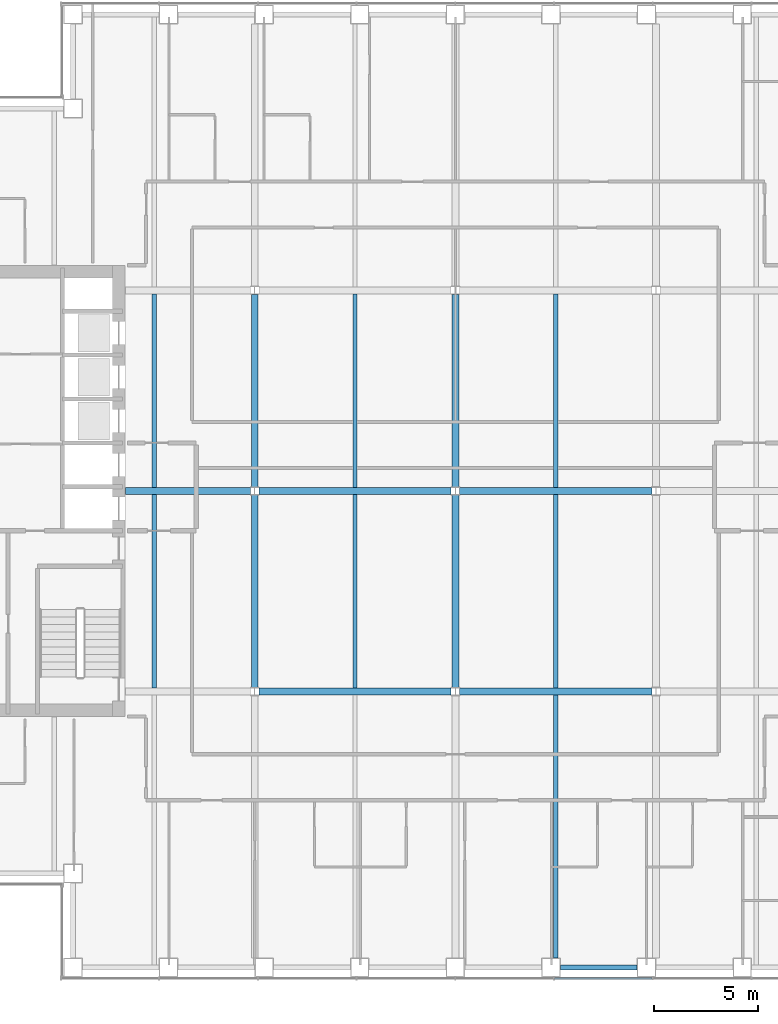
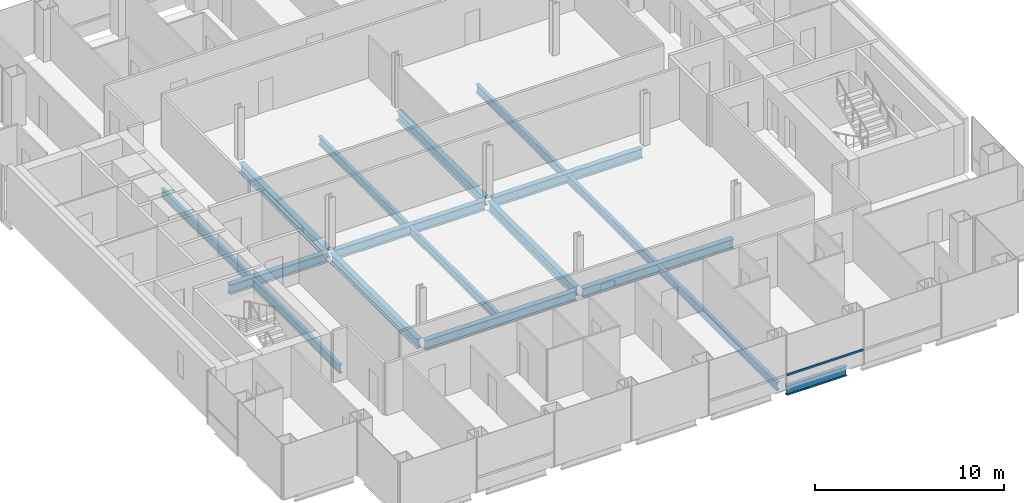
# One storey, part 3 of 15: 17 beams, 1 member, 1 element without a shape of its own.
"""IFC4 building model written with IfcOpenShell, lengths in metres."""

from ifc_helpers import new_model, si_unit, direction, frame, origin, origin_2d, place, context, subcontext, project, spatial, rectangle, i_section, extrude, material, material_profile, profile_set, type_object, element, aggregate, save


model = new_model("IFC4")

# Units and contexts
model_context = context("Model", 3, precision=1e-05, world=origin(), true_north=direction((0.0, 1.0)))
body_context = subcontext(model_context, "Body", "Model", "MODEL_VIEW")
ifc_project = project(units=[si_unit("LENGTHUNIT", "METRE"), si_unit("AREAUNIT", "SQUARE_METRE"), si_unit("VOLUMEUNIT", "CUBIC_METRE"), si_unit("PLANEANGLEUNIT", "RADIAN"), si_unit("MASSUNIT", "GRAM", prefix="KILO")], contexts=[model_context])

# Site, building, storey
site_placement = place(None, origin())
site = spatial("IfcSite", under=ifc_project, at=site_placement, CompositionType="ELEMENT")
building_placement = place(site_placement, origin())
building = spatial("IfcBuilding", under=site, at=building_placement, Name="Cobrizo Arcos Hotel Tower", CompositionType="ELEMENT")
storey_placement = place(building_placement, frame((0.0, 0.0, 99.5)))
storey = spatial("IfcBuildingStorey", under=building, at=storey_placement, Name="L24", CompositionType="ELEMENT", Elevation=99.5)

# Curtain wall, member
ifc_material_1 = material(Name="Aluminium 6063-T6 anodised bronze", Category="aluminium")
curtain_wall_type = type_object("IfcCurtainWallType", Name="CW-A guest facade", PredefinedType="NOTDEFINED", material=ifc_material_1)
curtain_wall_placement = place(storey_placement, origin())
curtain_wall = element("IfcCurtainWall", 1, at=curtain_wall_placement, inside=storey, type_object=curtain_wall_type, Name="CW-A L24 S face", PredefinedType="NOTDEFINED")
ifc_material_profile_1 = material_profile(ifc_material_1, rectangle(XDim=0.10009765625, YDim=0.1201171875, at=origin_2d()), Name="CW-A transom 120x100")
ifc_profile_set_1 = profile_set([ifc_material_profile_1], Name="Aluminium 6063-T6 anodised bronze")
member_type = type_object("IfcMemberType", Name="CW-A transom 120x100", PredefinedType="USERDEFINED", material=ifc_profile_set_1)
member_placement = place(storey_placement, frame((4.7548828125, -23.324951171875, 0.929931640625), z_axis=(1.0, 0.0, 0.0), x_axis=(0.0, 1.0, 0.0)))
member = element("IfcMember", 2, at=member_placement, type_object=member_type, Name="CW-A transom 952", ObjectType="TRANSOM", PredefinedType="USERDEFINED", context=body_context, shape_type="SweptSolid", body=[
    extrude(rectangle(XDim=0.10009765625, YDim=0.1201171875, at=origin_2d()), origin(), (0.0, 0.0, 1.0), 4.6650390625),
])
aggregate(curtain_wall, [member])

# Beams
ifc_material_2 = material(Name="Steel ASTM A992 Grade 50", Category="steel")
ifc_material_profile_2 = material_profile(ifc_material_2, i_section(OverallWidth=0.209228515625, OverallDepth=0.533447265625, WebThickness=0.01025390625, FlangeThickness=0.015625, at=origin_2d()), Name="W21X62")
ifc_profile_set_2 = profile_set([ifc_material_profile_2], Name="Steel ASTM A992 Grade 50")
beam_type_1 = type_object("IfcBeamType", Name="W21X62 joist", PredefinedType="JOIST", material=ifc_profile_set_2)
for number, where, z_axis, x_axis, name in (
    (3, (-14.39990234375, -9.43603515625, -0.416748046875), (0.0, 1.0, 0.0), (-1.0, 0.0, 0.0), "Floor joist J1, L24, no. 004"),
    (4, (-14.39990234375, 0.163818359375, -0.416748046875), (0.0, 1.0, 0.0), (-1.0, 0.0, 0.0), "Floor joist J1, L24, no. 005"),
    (5, (-4.800048828125, -9.43603515625, -0.416748046875), (0.0, 1.0, 0.0), (-1.0, 0.0, 0.0), "Floor joist J1, L24, no. 008"),
    (6, (-4.800048828125, 0.163818359375, -0.416748046875), (0.0, 1.0, 0.0), (-1.0, 0.0, 0.0), "Floor joist J1, L24, no. 009"),
):
    element("IfcBeam", number, at=place(storey_placement, frame(where, z_axis=z_axis, x_axis=x_axis)), inside=storey, type_object=beam_type_1, Name=name, PredefinedType="JOIST", context=body_context, shape_type="SweptSolid", body=[
        extrude(i_section(OverallWidth=0.209228515625, OverallDepth=0.533447265625, WebThickness=0.01025390625, FlangeThickness=0.015625, at=origin_2d()), origin(), (0.0, 0.0, 1.0), 9.272216796875),
    ])
beam_1_placement = place(storey_placement, frame((4.800048828125, -22.35009765625, -0.416748046875), z_axis=(0.0, 1.0, 0.0), x_axis=(-1.0, 0.0, 0.0)))
element("IfcBeam", 7, at=beam_1_placement, inside=storey, type_object=beam_type_1, Name="Floor joist J1, L24, no. 011", PredefinedType="JOIST", context=body_context, shape_type="SweptSolid", body=[
    extrude(i_section(OverallWidth=0.209228515625, OverallDepth=0.533447265625, WebThickness=0.01025390625, FlangeThickness=0.015625, at=origin_2d()), origin(), (0.0, 0.0, 1.0), 12.586181640625),
])
for number, where, z_axis, x_axis, name in (
    (8, (4.800048828125, -9.43603515625, -0.416748046875), (0.0, 1.0, 0.0), (-1.0, 0.0, 0.0), "Floor joist J1, L24, no. 012"),
    (9, (4.800048828125, 0.163818359375, -0.416748046875), (0.0, 1.0, 0.0), (-1.0, 0.0, 0.0), "Floor joist J1, L24, no. 013"),
):
    element("IfcBeam", number, at=place(storey_placement, frame(where, z_axis=z_axis, x_axis=x_axis)), inside=storey, type_object=beam_type_1, Name=name, PredefinedType="JOIST", context=body_context, shape_type="SweptSolid", body=[
        extrude(i_section(OverallWidth=0.209228515625, OverallDepth=0.533447265625, WebThickness=0.01025390625, FlangeThickness=0.015625, at=origin_2d()), origin(), (0.0, 0.0, 1.0), 9.272216796875),
    ])
ifc_material_profile_3 = material_profile(ifc_material_2, i_section(OverallWidth=0.32763671875, OverallDepth=0.622314453125, WebThickness=0.015380859375, FlangeThickness=0.0244140625, at=origin_2d()), Name="W24X131")
ifc_profile_set_3 = profile_set([ifc_material_profile_3], Name="Steel ASTM A992 Grade 50")
beam_type_2 = type_object("IfcBeamType", Name="W24X131 girder", PredefinedType="BEAM", material=ifc_profile_set_3)
for number, where, z_axis, x_axis, name in (
    (10, (-9.400634765625, -9.60009765625, -0.461181640625), (1.0, 0.0, 0.0), (0.0, 1.0, 0.0), "Floor girder G1, L24, no. 002"),
    (11, (0.199462890625, -9.60009765625, -0.461181640625), (1.0, 0.0, 0.0), (0.0, 1.0, 0.0), "Floor girder G1, L24, no. 003"),
):
    element("IfcBeam", number, at=place(storey_placement, frame(where, z_axis=z_axis, x_axis=x_axis)), inside=storey, type_object=beam_type_2, Name=name, PredefinedType="BEAM", context=body_context, shape_type="SweptSolid", body=[
        extrude(i_section(OverallWidth=0.32763671875, OverallDepth=0.622314453125, WebThickness=0.015380859375, FlangeThickness=0.0244140625, at=origin_2d()), origin(), (0.0, 0.0, 1.0), 9.201171875),
    ])
beam_2_placement = place(storey_placement, frame((-15.7900390625, 0.0, -0.461181640625), z_axis=(1.0, 0.0, 0.0), x_axis=(0.0, 1.0, 0.0)))
element("IfcBeam", 12, at=beam_2_placement, inside=storey, type_object=beam_type_2, Name="Floor girder G1, L24, no. 005", PredefinedType="BEAM", context=body_context, shape_type="SweptSolid", body=[
    extrude(i_section(OverallWidth=0.32763671875, OverallDepth=0.622314453125, WebThickness=0.015380859375, FlangeThickness=0.0244140625, at=origin_2d()), origin(), (0.0, 0.0, 1.0), 5.99072265625),
])
for number, where, z_axis, x_axis, name in (
    (13, (-9.400634765625, 0.0, -0.461181640625), (1.0, 0.0, 0.0), (0.0, 1.0, 0.0), "Floor girder G1, L24, no. 006"),
    (14, (0.199462890625, 0.0, -0.461181640625), (1.0, 0.0, 0.0), (0.0, 1.0, 0.0), "Floor girder G1, L24, no. 007"),
    (15, (-9.60009765625, -9.400634765625, -0.461181640625), (0.0, 1.0, 0.0), (-1.0, 0.0, 0.0), "Floor girder G1, L24, no. 014"),
    (16, (-9.60009765625, 0.199462890625, -0.461181640625), (0.0, 1.0, 0.0), (-1.0, 0.0, 0.0), "Floor girder G1, L24, no. 015"),
    (17, (0.0, -9.400634765625, -0.461181640625), (0.0, 1.0, 0.0), (-1.0, 0.0, 0.0), "Floor girder G1, L24, no. 018"),
    (18, (0.0, 0.199462890625, -0.461181640625), (0.0, 1.0, 0.0), (-1.0, 0.0, 0.0), "Floor girder G1, L24, no. 019"),
):
    element("IfcBeam", number, at=place(storey_placement, frame(where, z_axis=z_axis, x_axis=x_axis)), inside=storey, type_object=beam_type_2, Name=name, PredefinedType="BEAM", context=body_context, shape_type="SweptSolid", body=[
        extrude(i_section(OverallWidth=0.32763671875, OverallDepth=0.622314453125, WebThickness=0.015380859375, FlangeThickness=0.0244140625, at=origin_2d()), origin(), (0.0, 0.0, 1.0), 9.201171875),
    ])
ifc_material_profile_4 = material_profile(ifc_material_2, i_section(OverallWidth=0.23046875, OverallDepth=0.6171875, WebThickness=0.01318359375, FlangeThickness=0.022216796875, at=origin_2d()), Name="W24X94")
ifc_profile_set_4 = profile_set([ifc_material_profile_4], Name="Steel ASTM A992 Grade 50")
beam_type_3 = type_object("IfcBeamType", Name="W24X94 spandrel", PredefinedType="SPANDREL", material=ifc_profile_set_4)
beam_3_placement = place(storey_placement, frame((5.02490234375, -22.800048828125, -0.45849609375), z_axis=(1.0, 0.0, 0.0), x_axis=(0.0, 1.0, 0.0)))
element("IfcBeam", 19, at=beam_3_placement, inside=storey, type_object=beam_type_3, Name="Spandrel beam W24X94, L24, no. 006", PredefinedType="SPANDREL", context=body_context, shape_type="SweptSolid", body=[
    extrude(i_section(OverallWidth=0.23046875, OverallDepth=0.6171875, WebThickness=0.01318359375, FlangeThickness=0.022216796875, at=origin_2d()), origin(), (0.0, 0.0, 1.0), 3.675048828125),
])

save(model, "model.ifc")
